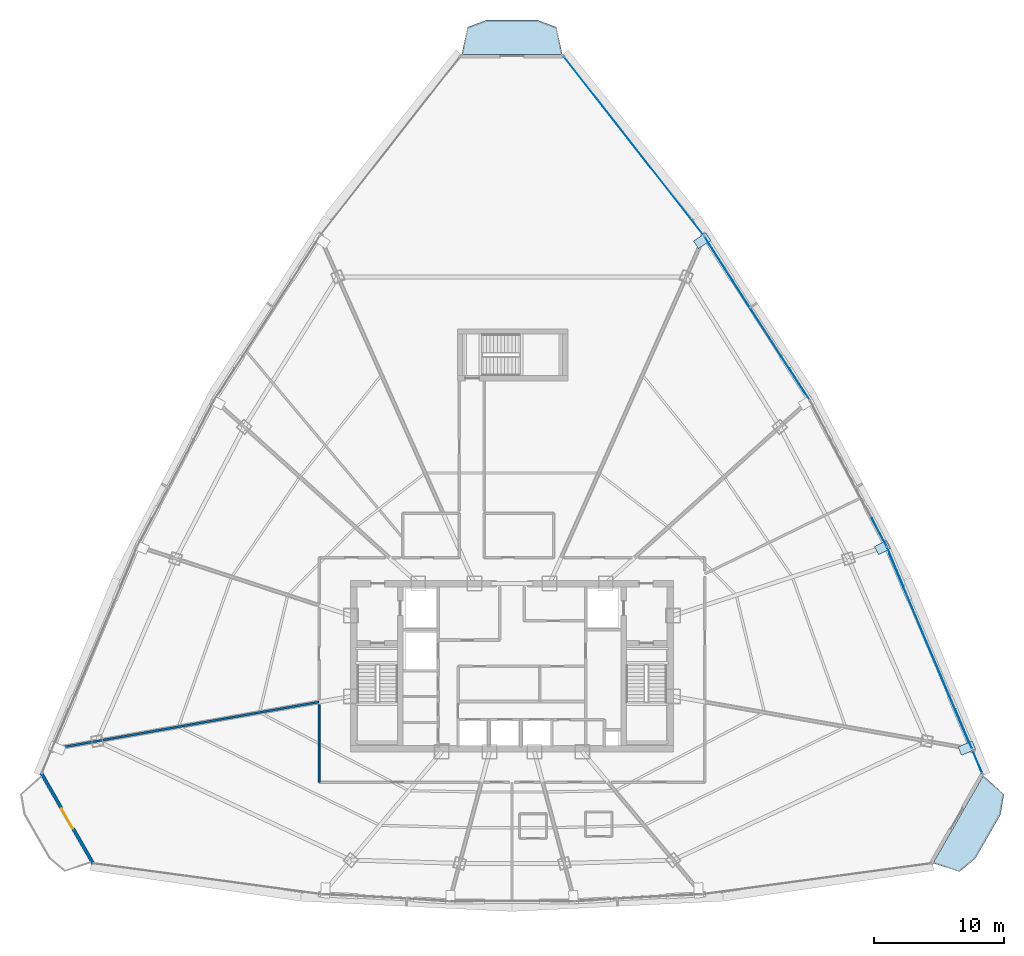
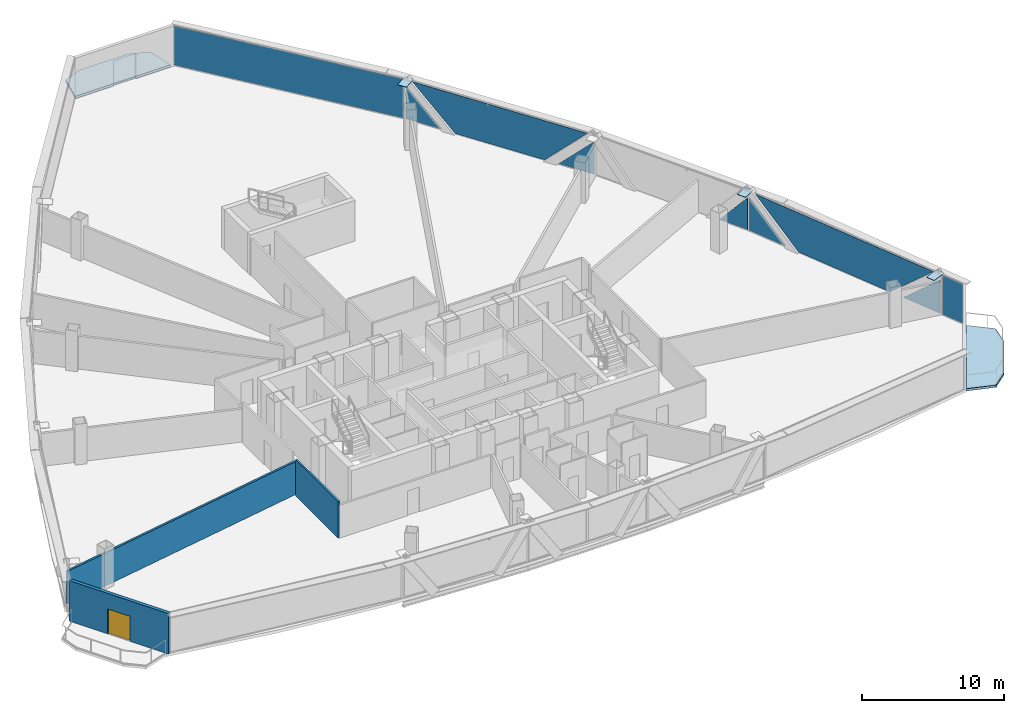
# One storey, part 27 of 35: 12 plates, 3 walls, 2 slabs, 1 door, 1 opening, 5 elements without a shape of their own.
"""IFC4 building model written with IfcOpenShell, lengths in metres."""

from ifc_helpers import new_model, si_unit, direction, frame, frame_2d, origin, origin_with_axes, origin_2d, place, context, subcontext, project, spatial, polyline, rectangle, outline, extrude, source, transform, mapped, material, layer, layer_set, type_object, element, fill, aggregate, save


model = new_model("IFC4")

# Units and contexts
model_context = context("Model", 3, precision=1e-05, world=origin(), true_north=direction((0.0, 1.0)))
body_context = subcontext(model_context, "Body", "Model", "MODEL_VIEW")
ifc_project = project(units=[si_unit("LENGTHUNIT", "METRE"), si_unit("AREAUNIT", "SQUARE_METRE"), si_unit("VOLUMEUNIT", "CUBIC_METRE"), si_unit("PLANEANGLEUNIT", "RADIAN"), si_unit("MASSUNIT", "GRAM", prefix="KILO"), si_unit("THERMODYNAMICTEMPERATUREUNIT", "KELVIN"), si_unit("POWERUNIT", "WATT")], contexts=[model_context])

# Site, building, storey
site_placement = place(None, origin())
site = spatial("IfcSite", under=ifc_project, at=site_placement, CompositionType="ELEMENT")
building_placement = place(site_placement, origin())
building = spatial("IfcBuilding", under=site, at=building_placement, Name="Yunzhuo Pagoda Commons", CompositionType="ELEMENT")
storey_placement = place(building_placement, frame((0.0, 0.0, 237.070068359375)))
storey = spatial("IfcBuildingStorey", under=building, at=storey_placement, Name="L59", CompositionType="ELEMENT", Elevation=237.070068359375)

# Curtain wall, plates
ifc_material_1 = material(Name="Anodized aluminium 6063-T6", Category="aluminium")
ifc_layer_1 = layer(ifc_material_1, 0.139892578125)
ifc_layer_set_1 = layer_set([ifc_layer_1], Name="Anodized aluminium 6063-T6")
curtain_wall_type = type_object("IfcCurtainWallType", Name="CW-HI High-Zone Ribbon Curtain Wall", PredefinedType="NOTDEFINED", material=ifc_layer_set_1)
curtain_wall_1_placement = place(storey_placement, origin())
curtain_wall_1 = element("IfcCurtainWall", 1, at=curtain_wall_1_placement, inside=storey, type_object=curtain_wall_type, Name="L59 curtain wall CW-L59-F2B2", PredefinedType="NOTDEFINED")
ifc_material_2 = material(Name="Tempered low-e double glazing", Category="glass")
ifc_layer_2 = layer(ifc_material_2, 0.02587890625)
ifc_layer_set_2 = layer_set([ifc_layer_2], Name="Tempered low-e double glazing")
plate_type_1 = type_object("IfcPlateType", Name="CW-HI-P Low-E Double Glazing 26", PredefinedType="CURTAIN_PANEL", material=ifc_layer_set_2)
plate_1_placement = place(storey_placement, frame((82.756591796875, 28.998779296875, 1.48291015625), z_axis=(0.92158893956, 0.388167266112, 0.0), x_axis=(-0.388167266112, 0.92158893956, 0.0)))
plate_1 = element("IfcPlate", 2, at=plate_1_placement, type_object=plate_type_1, Name="CW panel 1.1 lite 1", PredefinedType="CURTAIN_PANEL", context=body_context, shape_type="SweptSolid", body=[
    extrude(outline(polyline([(-1.621826171875, -1.427978515625), (1.621826171875, -1.427978515625), (-1.621826171875, 1.427978515625), (-1.621826171875, -1.427978515625)])), origin(), (0.0, 0.0, 1.0), 0.028076171875),
])
plate_2_placement = place(storey_placement, frame((80.0927734375, 35.24609375, 1.73486328125), z_axis=(0.92158893956, 0.388167266112, 0.0), x_axis=(-0.388167266112, 0.92158893956, 0.0)))
plate_2 = element("IfcPlate", 3, at=plate_2_placement, type_object=plate_type_1, Name="CW panel 1.1 lite 2", PredefinedType="CURTAIN_PANEL", context=body_context, shape_type="SweptSolid", body=[
    extrude(outline(polyline([(-7.8359375, 1.679931640625), (-4.01953125, -1.679931640625), (4.01953125, -1.679931640625), (7.8359375, 1.679931640625), (-7.8359375, 1.679931640625)])), origin(), (0.0, 0.0, 1.0), 0.028076171875),
])
plate_3_placement = place(storey_placement, frame((77.484375, 41.516845703125, 1.48291015625), z_axis=(0.92158893956, 0.388167266112, 0.0), x_axis=(-0.388167266112, 0.92158893956, 0.0)))
plate_3 = element("IfcPlate", 4, at=plate_3_placement, type_object=plate_type_1, Name="CW panel 1.1 lite 3", PredefinedType="CURTAIN_PANEL", context=body_context, shape_type="SweptSolid", body=[
    extrude(outline(polyline([(-1.621826171875, -1.427978515625), (1.621826171875, -1.427978515625), (1.621826171875, 1.427978515625), (-1.621826171875, -1.427978515625)])), origin(), (0.0, 0.0, 1.0), 0.028076171875),
])
aggregate(curtain_wall_1, [plate_1, plate_2, plate_3])

# Curtain wall, plate
curtain_wall_2_placement = place(storey_placement, origin())
curtain_wall_2 = element("IfcCurtainWall", 5, at=curtain_wall_2_placement, inside=storey, type_object=curtain_wall_type, Name="L59 curtain wall CW-L59-F2B3", PredefinedType="NOTDEFINED")
plate_4_placement = place(storey_placement, frame((76.25634765625, 44.160400390625, 1.4345703125), z_axis=(0.885137797473, 0.465329001337, 0.0), x_axis=(-0.465329001337, 0.885137797473, 0.0)))
plate_4 = element("IfcPlate", 6, at=plate_4_placement, type_object=plate_type_1, Name="CW panel 1.1 lite 1", PredefinedType="CURTAIN_PANEL", context=body_context, shape_type="SweptSolid", body=[
    extrude(outline(polyline([(-1.177001953125, -1.379638671875), (1.177001953125, -1.379638671875), (-1.177001953125, 1.379638671875), (-1.177001953125, -1.379638671875)])), origin(), (0.0, 0.0, 1.0), 0.028076171875),
])
aggregate(curtain_wall_2, [plate_4])

# Curtain wall, plates
curtain_wall_3_placement = place(storey_placement, origin())
curtain_wall_3 = element("IfcCurtainWall", 7, at=curtain_wall_3_placement, inside=storey, type_object=curtain_wall_type, Name="L59 curtain wall CW-L59-F2B4", PredefinedType="NOTDEFINED")
plate_5_placement = place(storey_placement, frame((70.110107421875, 55.57275390625, 1.464599609375), z_axis=(0.840807373352, 0.541334426133, 0.0), x_axis=(-0.541334426133, 0.840807373352, 0.0)))
plate_5 = element("IfcPlate", 8, at=plate_5_placement, type_object=plate_type_1, Name="CW panel 1.1 lite 1", PredefinedType="CURTAIN_PANEL", context=body_context, shape_type="SweptSolid", body=[
    extrude(outline(polyline([(-1.4169921875, -1.40966796875), (1.4169921875, -1.40966796875), (-1.4169921875, 1.40966796875), (-1.4169921875, -1.40966796875)])), origin(), (0.0, 0.0, 1.0), 0.028076171875),
])
plate_6_placement = place(storey_placement, frame((66.8251953125, 60.61962890625, 1.73486328125), z_axis=(0.840807373352, 0.541334426133, 0.0), x_axis=(-0.541334426133, 0.840807373352, 0.0)))
plate_6 = element("IfcPlate", 9, at=plate_6_placement, type_object=plate_type_1, Name="CW panel 1.1 lite 2", PredefinedType="CURTAIN_PANEL", context=body_context, shape_type="SweptSolid", body=[
    extrude(outline(polyline([(-6.904296875, 1.679931640625), (-3.527099609375, -1.679931640625), (3.527099609375, -1.679931640625), (6.904296875, 1.679931640625), (-6.904296875, 1.679931640625)])), origin(), (0.0, 0.0, 1.0), 0.028076171875),
])
plate_7_placement = place(storey_placement, frame((63.5908203125, 65.69873046875, 1.464599609375), z_axis=(0.840807373352, 0.541334426133, 0.0), x_axis=(-0.541334426133, 0.840807373352, 0.0)))
plate_7 = element("IfcPlate", 10, at=plate_7_placement, type_object=plate_type_1, Name="CW panel 1.1 lite 3", PredefinedType="CURTAIN_PANEL", context=body_context, shape_type="SweptSolid", body=[
    extrude(outline(polyline([(-1.4169921875, -1.40966796875), (1.4169921875, -1.40966796875), (1.4169921875, 1.40966796875), (-1.4169921875, -1.40966796875)])), origin(), (0.0, 0.0, 1.0), 0.028076171875),
])
aggregate(curtain_wall_3, [plate_5, plate_6, plate_7])

# Slabs
ifc_material_3 = material(Name="Concrete C40", Category="concrete")
ifc_layer_3 = layer(ifc_material_3, 0.199951171875)
ifc_layer_set_3 = layer_set([ifc_layer_3], Name="Concrete C40")
slab_type = type_object("IfcSlabType", Name="SL-BAL Vertex Balcony Deck Slab 200", PredefinedType="FLOOR", material=ifc_layer_set_3)
slab_1_placement = place(storey_placement, frame((0.0, 0.0, -0.199951171875)))
element("IfcSlab", 11, at=slab_1_placement, inside=storey, type_object=slab_type, Name="L59 corner balcony V2", PredefinedType="FLOOR", context=body_context, shape_type="SweptSolid", body=[
    extrude(outline(polyline([(80.411865234375, 18.67041015625), (84.282470703125, 25.412109375), (85.875244140625, 23.978515625), (85.608642578125, 22.40966796875), (83.67333984375, 19.038818359375), (82.45263671875, 18.017578125), (80.411865234375, 18.67041015625)])), origin(), (0.0, 0.0, 1.0), 0.199951171875),
])
slab_2_placement = place(storey_placement, frame((0.0, 0.0, -0.199951171875)))
element("IfcSlab", 12, at=slab_2_placement, inside=storey, type_object=slab_type, Name="L59 corner balcony V3", PredefinedType="FLOOR", context=body_context, shape_type="SweptSolid", body=[
    extrude(outline(polyline([(51.870849609375, 80.93701171875), (44.129150390625, 80.93701171875), (44.5791015625, 83.031982421875), (46.064697265625, 83.581787109375), (49.935302734375, 83.581787109375), (51.4208984375, 83.031982421875), (51.870849609375, 80.93701171875)])), origin(), (0.0, 0.0, 1.0), 0.199951171875),
])

# Plates
ifc_material_4 = material(Name="Structural steel Q355B", Category="steel")
ifc_layer_4 = layer(ifc_material_4, 0.028076171875)
ifc_layer_set_4 = layer_set([ifc_layer_4], Name="Structural steel Q355B")
plate_type_2 = type_object("IfcPlateType", Name="SP-ND1 Lattice Node Cap Plate 800x500x28", PredefinedType="USERDEFINED", material=ifc_layer_set_4)
shared_shape_1 = source(origin(), body_context, "Body", "SweptSolid", [
    extrude(rectangle(XDim=0.699951171875, YDim=1.1806640625, at=origin_2d()), origin(), (0.0, 0.0, 1.0), 0.035888671875),
])
plate_8_placement = place(storey_placement, frame((83.013427734375, 27.526123046875, 3.43212890625), z_axis=(0.0, 0.0, 1.0), x_axis=(-0.388175158617, 0.921585615248, 0.0)))
element("IfcPlate", 13, at=plate_8_placement, inside=storey, type_object=plate_type_2, Name="L59 setback lattice tie plate F2.1L", ObjectType="STIFFENER_PLATE", PredefinedType="USERDEFINED", context=body_context, shape_type="MappedRepresentation", body=[
    mapped(shared_shape_1, transform((0.0, 0.0, 0.0), scale=1.0)),
])
shared_shape_2 = source(origin(), body_context, "Body", "SweptSolid", [
    extrude(rectangle(XDim=0.699951171875, YDim=1.032470703125, at=origin_2d()), origin(), (0.0, 0.0, 1.0), 0.035888671875),
])
plate_9_placement = place(storey_placement, frame((76.519775390625, 42.966796875, 3.43212890625), z_axis=(0.0, 0.0, 1.0), x_axis=(-0.465336470286, 0.885133870904, 0.0)))
element("IfcPlate", 14, at=plate_9_placement, inside=storey, type_object=plate_type_2, Name="L59 setback lattice tie plate F2.2L", ObjectType="STIFFENER_PLATE", PredefinedType="USERDEFINED", context=body_context, shape_type="MappedRepresentation", body=[
    mapped(shared_shape_2, transform((0.0, 0.0, 0.0), scale=1.0)),
])
shared_shape_3 = source(origin(), body_context, "Body", "SweptSolid", [
    extrude(rectangle(XDim=0.699951171875, YDim=1.144287109375, at=origin_2d()), origin(), (0.0, 0.0, 1.0), 0.035888671875),
])
plate_10_placement = place(storey_placement, frame((62.641357421875, 66.585205078125, 3.43212890625), z_axis=(0.0, 0.0, 1.0), x_axis=(-0.541341392357, 0.840802888269, 0.0)))
element("IfcPlate", 15, at=plate_10_placement, inside=storey, type_object=plate_type_2, Name="L59 setback lattice tie plate F2.3R", ObjectType="STIFFENER_PLATE", PredefinedType="USERDEFINED", context=body_context, shape_type="MappedRepresentation", body=[
    mapped(shared_shape_3, transform((0.0, 0.0, 0.0), scale=1.0)),
])

# Curtain wall, plate
curtain_wall_4_placement = place(storey_placement, origin())
curtain_wall_4 = element("IfcCurtainWall", 16, at=curtain_wall_4_placement, inside=storey, type_object=curtain_wall_type, Name="L59 curtain wall CW-L59-F2B1", PredefinedType="NOTDEFINED")
shared_shape_4 = source(origin(), body_context, "Body", "SweptSolid", [
    extrude(rectangle(XDim=1.85595703125, YDim=0.028076171875, at=origin_2d()), origin(), (0.0, 0.0, 1.0), 3.360107421875),
])
plate_11_placement = place(storey_placement, frame((83.83203125, 26.47314453125, 0.0546875), z_axis=(0.0, 0.0, 1.0), x_axis=(-0.385344767667, 0.922772675165, 0.0)))
plate_11 = element("IfcPlate", 17, at=plate_11_placement, type_object=plate_type_1, Name="CW panel 1.1", PredefinedType="CURTAIN_PANEL", context=body_context, shape_type="MappedRepresentation", body=[
    mapped(shared_shape_4, transform((0.0, 0.0, 0.0), scale=1.0)),
])
aggregate(curtain_wall_4, [plate_11])

curtain_wall_5_placement = place(storey_placement, origin())
curtain_wall_5 = element("IfcCurtainWall", 18, at=curtain_wall_5_placement, inside=storey, type_object=curtain_wall_type, Name="L59 curtain wall CW-L59-F2B5", PredefinedType="NOTDEFINED")
shared_shape_5 = source(origin(), body_context, "Body", "SweptSolid", [
    extrude(rectangle(XDim=17.39404296875, YDim=0.028076171875, at=origin_2d()), origin(), (0.0, 0.0, 1.0), 3.360107421875),
])
plate_12_placement = place(storey_placement, frame((57.361328125, 73.904541015625, 0.0546875), z_axis=(0.0, 0.0, 1.0), x_axis=(-0.616136433127, 0.787639445288, 0.0)))
plate_12 = element("IfcPlate", 19, at=plate_12_placement, type_object=plate_type_1, Name="CW panel 1.1", PredefinedType="CURTAIN_PANEL", context=body_context, shape_type="MappedRepresentation", body=[
    mapped(shared_shape_5, transform((0.0, 0.0, 0.0), scale=1.0)),
])
aggregate(curtain_wall_5, [plate_12])

# Wall, opening, door
ifc_material_5 = material(Name="Precast concrete C40", Category="concrete")
ifc_layer_5 = layer(ifc_material_5, 0.260009765625)
ifc_layer_set_5 = layer_set([ifc_layer_5], Name="Precast concrete C40")
wall_type_1 = type_object("IfcWallType", Name="W-BAL1 Corner Balcony Threshold Wall 260", PredefinedType="STANDARD", material=ifc_layer_set_5)
wall_1_placement = place(storey_placement, frame((11.759765625, 25.609375, 0.0), z_axis=(0.0, 0.0, 1.0), x_axis=(0.49791595327, -0.867225289921, 0.0)))
wall_1 = element("IfcWall", 20, at=wall_1_placement, inside=storey, type_object=wall_type_1, Name="L59 corner balcony wall V1", PredefinedType="STANDARD", context=body_context, shape_type="SweptSolid", body=[
    extrude(rectangle(XDim=8.07373046875, YDim=0.260009765625, at=frame_2d((4.036865234375, 0.0))), origin(), (0.0, 0.0, 1.0), 3.469970703125),
])
opening_placement = place(wall_1_placement, frame((3.136962890625, 0.0, 0.0)))
opening = element("IfcOpeningElement", 21, at=opening_placement, cuts=wall_1, Name="Opening D-BAL1", PredefinedType="OPENING", context=body_context, shape_type="SweptSolid", body=[
    extrude(rectangle(XDim=1.800048828125, YDim=2.14990234375, at=frame_2d((0.89990234375, 1.074951171875))), frame((0.0, 0.14013671875, 0.0), z_axis=(0.0, -1.0, 0.0), x_axis=(1.0, 0.0, 0.0)), (0.0, 0.0, 1.0), 0.280029296875),
])
ifc_material_6 = material(Name="Anodized aluminium frame and tempered glazed leaf", Category="aluminium")
door_type = type_object("IfcDoorType", Name="D-BAL1 Corner Balcony Sliding Glazed Door 1800x2150", OperationType="DOUBLE_DOOR_SLIDING", PredefinedType="DOOR", material=ifc_material_6)
shared_shape_6 = source(origin(), body_context, "Body", "SweptSolid", [
    extrude(rectangle(XDim=1.800048828125, YDim=2.14990234375, at=frame_2d((0.89990234375, 1.074951171875))), frame((0.0, 0.02490234375, 0.0), z_axis=(0.0, -1.0, 0.0), x_axis=(1.0, 0.0, 0.0)), (0.0, 0.0, 1.0), 0.050048828125),
])
door_placement = place(opening_placement, origin_with_axes())
door = element("IfcDoor", 22, at=door_placement, inside=storey, type_object=door_type, Name="L59 corner balcony sliding door V1", OperationType="DOUBLE_DOOR_SLIDING", OverallHeight=2.14990234375, OverallWidth=1.800048828125, PredefinedType="DOOR", context=body_context, shape_type="MappedRepresentation", body=[
    mapped(shared_shape_6, transform((0.0, 0.0, 0.0), scale=1.0)),
])
fill(opening, door)

# Walls
ifc_material_7 = material(Name="Gypsum plasterboard on acoustic stud")
ifc_layer_6 = layer(ifc_material_7, 0.14990234375)
ifc_layer_set_6 = layer_set([ifc_layer_6], Name="Gypsum plasterboard on acoustic stud")
wall_type_2 = type_object("IfcWallType", Name="W-COR3 High-Zone Rated Corridor Wall 150", PredefinedType="PARTITIONING", material=ifc_layer_set_6)
wall_2_placement = place(storey_placement, frame((33.14990234375, 24.89990234375, 0.0), z_axis=(0.0, 0.0, 1.0), x_axis=(0.0, 1.0, 0.0)))
element("IfcWall", 23, at=wall_2_placement, inside=storey, type_object=wall_type_2, Name="L59 interior wall IW-L59-CWL01", PredefinedType="PARTITIONING", context=body_context, shape_type="SweptSolid", body=[
    extrude(rectangle(XDim=5.958251953125, YDim=0.14990234375, at=frame_2d((2.97900390625, 0.0))), origin(), (0.0, 0.0, 1.0), 3.119873046875),
])
ifc_layer_7 = layer(ifc_material_7, 0.169921875)
ifc_layer_set_7 = layer_set([ifc_layer_7], Name="Gypsum plasterboard on acoustic stud")
wall_type_3 = type_object("IfcWallType", Name="W-PRT4 High-Zone Demising Wall 170", PredefinedType="PARTITIONING", material=ifc_layer_set_7)
wall_3_placement = place(storey_placement, frame((33.14990234375, 31.08154296875, 0.0), z_axis=(0.0, 0.0, 1.0), x_axis=(-0.984808138799, -0.17364598975, 0.0)))
element("IfcWall", 24, at=wall_3_placement, inside=storey, type_object=wall_type_3, Name="L59 interior wall IW-L59-RAD08", PredefinedType="PARTITIONING", context=body_context, shape_type="SweptSolid", body=[
    extrude(rectangle(XDim=20.889892578125, YDim=0.169921875, at=frame_2d((10.44482421875, 0.0))), origin(), (0.0, 0.0, 1.0), 2.81982421875),
])

save(model, "model.ifc")
